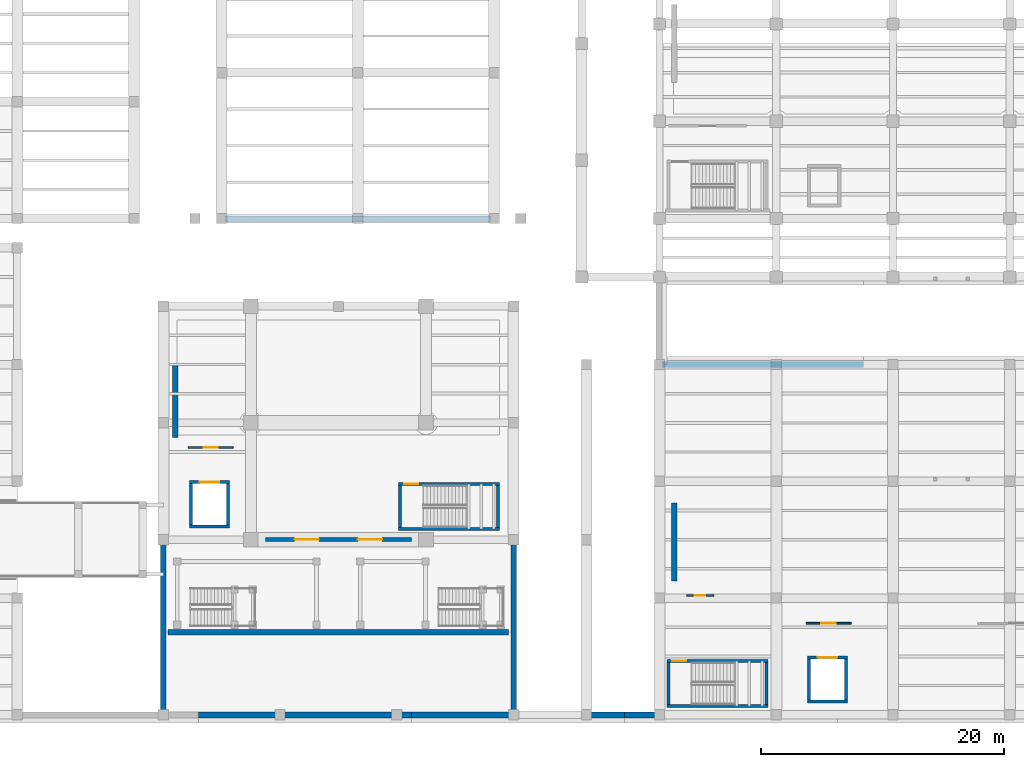
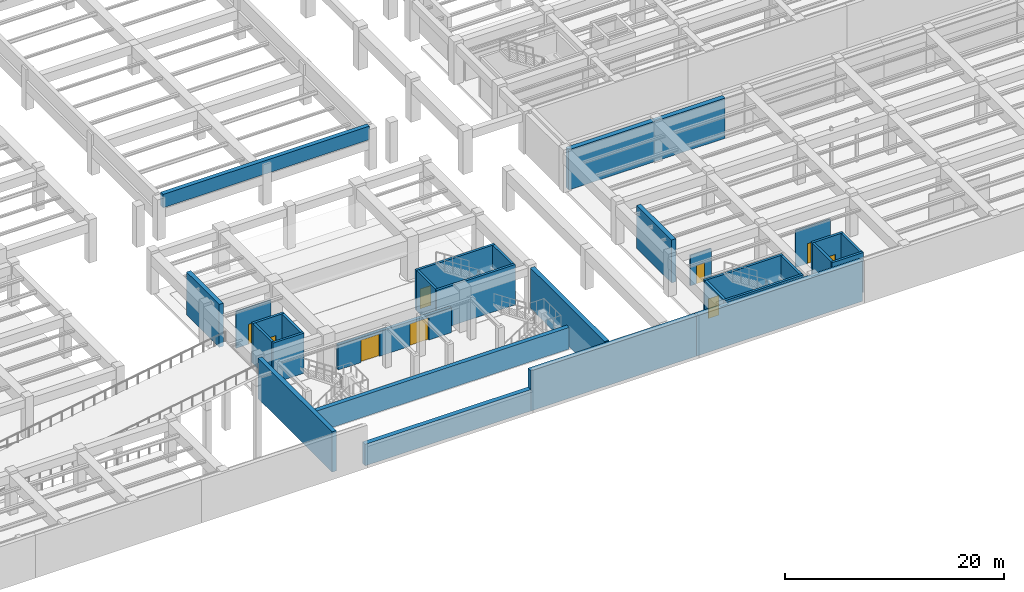
# One storey, part 25 of 45: 30 walls, 9 doors, 9 openings.
"""IFC4 building model written with IfcOpenShell, lengths in metres."""

from ifc_helpers import new_model, si_unit, direction, frame, frame_2d, origin, place, context, subcontext, project, spatial, rectangle, extrude, material, layer, layer_set, type_object, element, fill, save


model = new_model("IFC4")

# Units and contexts
model_context = context("Model", 3, precision=1e-05, world=origin(), true_north=direction((0.0, 1.0)))
body_context = subcontext(model_context, "Body", "Model", "MODEL_VIEW")
ifc_project = project(units=[si_unit("LENGTHUNIT", "METRE"), si_unit("AREAUNIT", "SQUARE_METRE"), si_unit("VOLUMEUNIT", "CUBIC_METRE"), si_unit("PLANEANGLEUNIT", "RADIAN"), si_unit("MASSUNIT", "GRAM", prefix="KILO")], contexts=[model_context])

# Site, building, storey
site_placement = place(None, origin())
site = spatial("IfcSite", under=ifc_project, at=site_placement, CompositionType="ELEMENT")
building_placement = place(site_placement, origin())
building = spatial("IfcBuilding", under=site, at=building_placement, Name="Mavantir Sound Aquarium", CompositionType="ELEMENT")
storey_placement = place(building_placement, frame((0.0, 0.0, -4.800048828125)))
storey = spatial("IfcBuildingStorey", under=building, at=storey_placement, Name="B1", CompositionType="ELEMENT", Elevation=-4.800048828125)

# Wall, openings, doors
ifc_material_1 = material(Name="Coral-Buff Architectural Precast Concrete C40/50", Category="concrete")
ifc_layer_1 = layer(ifc_material_1, 0.340087890625, Name="Coral-Buff Architectural Precast Concrete C40/50")
ifc_layer_set_1 = layer_set([ifc_layer_1], Name="Coral-Buff Architectural Precast Concrete C40/50")
wall_type_1 = type_object("IfcWallType", Name="EW-CORAL-340", PredefinedType="SOLIDWALL", material=ifc_layer_set_1)
wall_1_placement = place(storey_placement, frame((75.60009765625, 14.39990234375, 0.0), z_axis=(0.0, 0.0, 1.0), x_axis=(1.0, 0.0, 0.0)))
wall_1 = element("IfcWall", 1, at=wall_1_placement, inside=storey, type_object=wall_type_1, Name="B1 sunken metro forecourt concourse portal wall", PredefinedType="SOLIDWALL", context=body_context, shape_type="SweptSolid", body=[
    extrude(rectangle(XDim=12.0, YDim=0.340087890625, at=frame_2d((6.0, 0.0))), origin(), (0.0, 0.0, 1.0), 2.77001953125),
])
opening_1_placement = place(wall_1_placement, frame((4.39990234375, 0.0, 0.0), z_axis=(0.0, 0.0, 1.0), x_axis=(-1.0, 0.0, 0.0)))
opening_1 = element("IfcOpeningElement", 2, at=opening_1_placement, cuts=wall_1, Name="Opening EXD-01", PredefinedType="OPENING", context=body_context, shape_type="SweptSolid", body=[
    extrude(rectangle(XDim=2.0, YDim=2.5, at=frame_2d((1.0, 1.25))), frame((0.0, 0.18017578125, 0.0), z_axis=(0.0, -1.0, 0.0), x_axis=(1.0, 0.0, 0.0)), (0.0, 0.0, 1.0), 0.360107421875),
])
opening_2_placement = place(wall_1_placement, frame((9.60009765625, 0.0, 0.0), z_axis=(0.0, 0.0, 1.0), x_axis=(-1.0, 0.0, 0.0)))
opening_2 = element("IfcOpeningElement", 3, at=opening_2_placement, cuts=wall_1, Name="Opening EXD-01", PredefinedType="OPENING", context=body_context, shape_type="SweptSolid", body=[
    extrude(rectangle(XDim=2.0, YDim=2.5, at=frame_2d((1.0, 1.25))), frame((0.0, 0.18017578125, 0.0), z_axis=(0.0, -1.0, 0.0), x_axis=(1.0, 0.0, 0.0)), (0.0, 0.0, 1.0), 0.360107421875),
])
ifc_material_2 = material(Name="Marine-Grade Anodised Aluminium and Laminated Glass", Category="aluminium")
door_type_1 = type_object("IfcDoorType", Name="DR-EX-200", OperationType="NOTDEFINED", PredefinedType="DOOR", material=ifc_material_2)
door_1_placement = place(opening_1_placement, origin())
door_1 = element("IfcDoor", 4, at=door_1_placement, inside=storey, type_object=door_type_1, Name="B1 sunken metro forecourt portal door 1", OperationType="DOUBLE_DOOR_SINGLE_SWING", OverallHeight=2.5, OverallWidth=2.0, PredefinedType="DOOR", context=body_context, shape_type="SweptSolid", body=[
    extrude(rectangle(XDim=2.0, YDim=2.5, at=frame_2d((1.0, 1.25))), frame((0.0, 0.02490234375, 0.0), z_axis=(0.0, -1.0, 0.0), x_axis=(1.0, 0.0, 0.0)), (0.0, 0.0, 1.0), 0.050048828125),
])
fill(opening_1, door_1)
door_2_placement = place(opening_2_placement, origin())
door_2 = element("IfcDoor", 5, at=door_2_placement, inside=storey, type_object=door_type_1, Name="B1 sunken metro forecourt portal door 2", OperationType="DOUBLE_DOOR_SINGLE_SWING", OverallHeight=2.5, OverallWidth=2.0, PredefinedType="DOOR", context=body_context, shape_type="SweptSolid", body=[
    extrude(rectangle(XDim=2.0, YDim=2.5, at=frame_2d((1.0, 1.25))), frame((0.0, 0.02490234375, 0.0), z_axis=(0.0, -1.0, 0.0), x_axis=(1.0, 0.0, 0.0)), (0.0, 0.0, 1.0), 0.050048828125),
])
fill(opening_2, door_2)

# Wall, opening, door
ifc_material_3 = material(Name="Acoustic Metal-Stud Gypsum Partition", Category="gypsum")
ifc_layer_2 = layer(ifc_material_3, 0.1298828125, Name="Acoustic Metal-Stud Gypsum Partition")
ifc_layer_set_2 = layer_set([ifc_layer_2], Name="Acoustic Metal-Stud Gypsum Partition")
wall_type_2 = type_object("IfcWallType", Name="IW-PART-130", PredefinedType="PARTITIONING", material=ifc_layer_set_2)
wall_2_placement = place(storey_placement, frame((120.050048828125, 7.52490234375, 0.0), z_axis=(0.0, 0.0, 1.0), x_axis=(1.0, 0.0, 0.0)))
wall_2 = element("IfcWall", 6, at=wall_2_placement, inside=storey, type_object=wall_type_2, Name="B1 Life Support Plant High-Pressure Sand Filtration Hall entry partition", PredefinedType="PARTITIONING", context=body_context, shape_type="SweptSolid", body=[
    extrude(rectangle(XDim=3.699951171875, YDim=0.1298828125, at=frame_2d((1.85009765625, 0.0))), origin(), (0.0, 0.0, 1.0), 4.1640625),
])
opening_3_placement = place(wall_2_placement, frame((1.260009765625, 0.0, 0.0)))
opening_3 = element("IfcOpeningElement", 7, at=opening_3_placement, cuts=wall_2, Name="Opening ID-08", PredefinedType="OPENING", context=body_context, shape_type="SweptSolid", body=[
    extrude(rectangle(XDim=1.179931640625, YDim=2.219970703125, at=frame_2d((0.58984375, 1.10986328125))), frame((0.0, 0.074951171875, 0.0), z_axis=(0.0, -1.0, 0.0), x_axis=(1.0, 0.0, 0.0)), (0.0, 0.0, 1.0), 0.14990234375),
])
ifc_material_4 = material(Name="Solid-Core Marine Hardwood and Vision-Panel Door", Category="wood")
door_type_2 = type_object("IfcDoorType", Name="DR-INT-08", OperationType="NOTDEFINED", PredefinedType="DOOR", material=ifc_material_4)
door_3_placement = place(opening_3_placement, origin())
door_3 = element("IfcDoor", 8, at=door_3_placement, inside=storey, type_object=door_type_2, Name="Life Support Plant High-Pressure Sand Filtration Hall door", OperationType="SINGLE_SWING_LEFT", OverallHeight=2.219970703125, OverallWidth=1.179931640625, PredefinedType="DOOR", context=body_context, shape_type="SweptSolid", body=[
    extrude(rectangle(XDim=1.179931640625, YDim=2.219970703125, at=frame_2d((0.58984375, 1.10986328125))), frame((0.0, 0.02490234375, 0.0), z_axis=(0.0, -1.0, 0.0), x_axis=(1.0, 0.0, 0.0)), (0.0, 0.0, 1.0), 0.050048828125),
])
fill(opening_3, door_3)

ifc_material_5 = material(Name="Moisture-Resistant Marine Gypsum Partition", Category="gypsum")
ifc_layer_3 = layer(ifc_material_5, 0.139892578125, Name="Moisture-Resistant Marine Gypsum Partition")
ifc_layer_set_3 = layer_set([ifc_layer_3], Name="Moisture-Resistant Marine Gypsum Partition")
wall_type_3 = type_object("IfcWallType", Name="IW-PART-140", PredefinedType="PARTITIONING", material=ifc_layer_set_3)
wall_3_placement = place(storey_placement, frame((69.25, 21.97509765625, 0.0), z_axis=(0.0, 0.0, 1.0), x_axis=(1.0, 0.0, 0.0)))
wall_3 = element("IfcWall", 9, at=wall_3_placement, inside=storey, type_object=wall_type_3, Name="B1 Sunken Metro Forecourt Ticketing and Orientation Concourse entry partition", PredefinedType="PARTITIONING", context=body_context, shape_type="SweptSolid", body=[
    extrude(rectangle(XDim=3.699951171875, YDim=0.139892578125, at=frame_2d((1.85009765625, 0.0))), origin(), (0.0, 0.0, 1.0), 4.113037109375),
])
opening_4_placement = place(wall_3_placement, frame((1.280029296875, 0.0, 0.0)))
opening_4 = element("IfcOpeningElement", 10, at=opening_4_placement, cuts=wall_3, Name="Opening ID-07", PredefinedType="OPENING", context=body_context, shape_type="SweptSolid", body=[
    extrude(rectangle(XDim=1.139892578125, YDim=2.219970703125, at=frame_2d((0.56982421875, 1.10986328125))), frame((0.0, 0.080078125, 0.0), z_axis=(0.0, -1.0, 0.0), x_axis=(1.0, 0.0, 0.0)), (0.0, 0.0, 1.0), 0.159912109375),
])
door_type_3 = type_object("IfcDoorType", Name="DR-INT-07", OperationType="NOTDEFINED", PredefinedType="DOOR", material=ifc_material_4)
door_4_placement = place(opening_4_placement, origin())
door_4 = element("IfcDoor", 11, at=door_4_placement, inside=storey, type_object=door_type_3, Name="Sunken Metro Forecourt Ticketing and Orientation Concourse door", OperationType="SINGLE_SWING_RIGHT", OverallHeight=2.219970703125, OverallWidth=1.139892578125, PredefinedType="DOOR", context=body_context, shape_type="SweptSolid", body=[
    extrude(rectangle(XDim=1.139892578125, YDim=2.219970703125, at=frame_2d((0.56982421875, 1.10986328125))), frame((0.0, 0.02490234375, 0.0), z_axis=(0.0, -1.0, 0.0), x_axis=(1.0, 0.0, 0.0)), (0.0, 0.0, 1.0), 0.050048828125),
])
fill(opening_4, door_4)

wall_4_placement = place(storey_placement, frame((110.239990234375, 9.800048828125, 0.0), z_axis=(0.0, 0.0, 1.0), x_axis=(1.0, 0.0, 0.0)))
wall_4 = element("IfcWall", 12, at=wall_4_placement, inside=storey, type_object=wall_type_3, Name="B1 service riser enclosure 1", PredefinedType="PARTITIONING", context=body_context, shape_type="SweptSolid", body=[
    extrude(rectangle(XDim=2.199951171875, YDim=0.139892578125, at=frame_2d((1.10009765625, 0.0))), origin(), (0.0, 0.0, 1.0), 3.416015625),
])
opening_5_placement = place(wall_4_placement, frame((0.64990234375, 0.0, 0.0)))
opening_5 = element("IfcOpeningElement", 13, at=opening_5_placement, cuts=wall_4, Name="Opening TD-01", PredefinedType="OPENING", context=body_context, shape_type="SweptSolid", body=[
    extrude(rectangle(XDim=0.85009765625, YDim=2.050048828125, at=frame_2d((0.425048828125, 1.02490234375))), frame((0.0, 0.080078125, 0.0), z_axis=(0.0, -1.0, 0.0), x_axis=(1.0, 0.0, 0.0)), (0.0, 0.0, 1.0), 0.159912109375),
])
ifc_material_6 = material(Name="Powder-Coated Steel Riser Access Door", Category="steel")
door_type_4 = type_object("IfcDoorType", Name="DR-TRAP-85", OperationType="NOTDEFINED", PredefinedType="TRAPDOOR", material=ifc_material_6)
door_5_placement = place(opening_5_placement, origin())
door_5 = element("IfcDoor", 14, at=door_5_placement, inside=storey, type_object=door_type_4, Name="B1 riser inspection trapdoor 1", OperationType="SINGLE_SWING_RIGHT", OverallHeight=2.050048828125, OverallWidth=0.85009765625, PredefinedType="TRAPDOOR", context=body_context, shape_type="SweptSolid", body=[
    extrude(rectangle(XDim=0.85009765625, YDim=2.050048828125, at=frame_2d((0.425048828125, 1.02490234375))), frame((0.0, 0.02490234375, 0.0), z_axis=(0.0, -1.0, 0.0), x_axis=(1.0, 0.0, 0.0)), (0.0, 0.0, 1.0), 0.050048828125),
])
fill(opening_5, door_5)

# Wall
ifc_material_7 = material(Name="Concrete C40/50", Category="concrete")
ifc_layer_4 = layer(ifc_material_7, 0.25, Name="Concrete C40/50")
ifc_layer_set_4 = layer_set([ifc_layer_4], Name="Concrete C40/50")
wall_type_4 = type_object("IfcWallType", Name="IW-SHAFT-250", PredefinedType="SHEAR", material=ifc_layer_set_4)
wall_5_placement = place(storey_placement, frame((108.60009765625, 0.72509765625, 0.0), z_axis=(0.0, 0.0, 1.0), x_axis=(1.0, 0.0, 0.0)))
element("IfcWall", 15, at=wall_5_placement, inside=storey, type_object=wall_type_4, Name="B1 stair ST6 shaft wall S", PredefinedType="SHEAR", context=body_context, shape_type="SweptSolid", body=[
    extrude(rectangle(XDim=8.2998046875, YDim=0.25, at=frame_2d((4.14990234375, 0.0))), origin(), (0.0, 0.0, 1.0), 4.449951171875),
])

# Wall, opening, door
wall_6_placement = place(storey_placement, frame((116.89990234375, 4.425048828125, 0.0), z_axis=(0.0, 0.0, 1.0), x_axis=(-1.0, 0.0, 0.0)))
wall_6 = element("IfcWall", 16, at=wall_6_placement, inside=storey, type_object=wall_type_4, Name="B1 stair ST6 shaft wall N", PredefinedType="SHEAR", context=body_context, shape_type="SweptSolid", body=[
    extrude(rectangle(XDim=8.2998046875, YDim=0.25, at=frame_2d((4.14990234375, 0.0))), origin(), (0.0, 0.0, 1.0), 4.449951171875),
])
opening_6_placement = place(wall_6_placement, frame((7.849853515625, 0.0, 0.0), z_axis=(0.0, 0.0, 1.0), x_axis=(-1.0, 0.0, 0.0)))
opening_6 = element("IfcOpeningElement", 17, at=opening_6_placement, cuts=wall_6, Name="Opening SD-02", PredefinedType="OPENING", context=body_context, shape_type="SweptSolid", body=[
    extrude(rectangle(XDim=1.14990234375, YDim=2.199951171875, at=frame_2d((0.574951171875, 1.10009765625))), frame((0.0, 0.135009765625, 0.0), z_axis=(0.0, -1.0, 0.0), x_axis=(1.0, 0.0, 0.0)), (0.0, 0.0, 1.0), 0.27001953125),
])
ifc_material_8 = material(Name="Fire-Rated Steel Acoustic Door Leaf", Category="steel")
door_type_5 = type_object("IfcDoorType", Name="DR-ST-115", OperationType="NOTDEFINED", PredefinedType="DOOR", material=ifc_material_8)
door_6_placement = place(opening_6_placement, origin())
door_6 = element("IfcDoor", 18, at=door_6_placement, inside=storey, type_object=door_type_5, Name="B1 protected exit stair ST6 door", OperationType="SINGLE_SWING_RIGHT", OverallHeight=2.199951171875, OverallWidth=1.14990234375, PredefinedType="DOOR", context=body_context, shape_type="SweptSolid", body=[
    extrude(rectangle(XDim=1.14990234375, YDim=2.199951171875, at=frame_2d((0.574951171875, 1.10009765625))), frame((0.0, 0.02490234375, 0.0), z_axis=(0.0, -1.0, 0.0), x_axis=(1.0, 0.0, 0.0)), (0.0, 0.0, 1.0), 0.050048828125),
])
fill(opening_6, door_6)

# Walls
for number, where, z_axis, x_axis, name in (
    (19, (108.72509765625, 4.300048828125, 0.0), (0.0, 0.0, 1.0), (0.0, -1.0, 0.0), "B1 stair ST6 shaft wall W"),
    (20, (116.77490234375, 0.85009765625, 0.0), (0.0, 0.0, 1.0), (0.0, 1.0, 0.0), "B1 stair ST6 shaft wall E"),
):
    element("IfcWall", number, at=place(storey_placement, frame(where, z_axis=z_axis, x_axis=x_axis)), inside=storey, type_object=wall_type_4, Name=name, PredefinedType="SHEAR", context=body_context, shape_type="SweptSolid", body=[
        extrude(rectangle(XDim=3.449951171875, YDim=0.25, at=frame_2d((1.72509765625, 0.0))), origin(), (0.0, 0.0, 1.0), 4.449951171875),
    ])
wall_7_placement = place(storey_placement, frame((86.550048828125, 15.27490234375, 0.0), z_axis=(0.0, 0.0, 1.0), x_axis=(1.0, 0.0, 0.0)))
element("IfcWall", 21, at=wall_7_placement, inside=storey, type_object=wall_type_4, Name="B1 stair ST11 shaft wall S", PredefinedType="SHEAR", context=body_context, shape_type="SweptSolid", body=[
    extrude(rectangle(XDim=8.300048828125, YDim=0.25, at=frame_2d((4.14990234375, 0.0))), origin(), (0.0, 0.0, 1.0), 4.5),
])

# Wall, opening, door
wall_8_placement = place(storey_placement, frame((94.85009765625, 18.97509765625, 0.0), z_axis=(0.0, 0.0, 1.0), x_axis=(-1.0, 0.0, 0.0)))
wall_8 = element("IfcWall", 22, at=wall_8_placement, inside=storey, type_object=wall_type_4, Name="B1 stair ST11 shaft wall N", PredefinedType="SHEAR", context=body_context, shape_type="SweptSolid", body=[
    extrude(rectangle(XDim=8.300048828125, YDim=0.25, at=frame_2d((4.14990234375, 0.0))), origin(), (0.0, 0.0, 1.0), 4.5),
])
opening_7_placement = place(wall_8_placement, frame((7.849853515625, 0.0, 0.0), z_axis=(0.0, 0.0, 1.0), x_axis=(-1.0, 0.0, 0.0)))
opening_7 = element("IfcOpeningElement", 23, at=opening_7_placement, cuts=wall_8, Name="Opening SD-02", PredefinedType="OPENING", context=body_context, shape_type="SweptSolid", body=[
    extrude(rectangle(XDim=1.14990234375, YDim=2.199951171875, at=frame_2d((0.574951171875, 1.10009765625))), frame((0.0, 0.135009765625, 0.0), z_axis=(0.0, -1.0, 0.0), x_axis=(1.0, 0.0, 0.0)), (0.0, 0.0, 1.0), 0.27001953125),
])
door_7_placement = place(opening_7_placement, origin())
door_7 = element("IfcDoor", 24, at=door_7_placement, inside=storey, type_object=door_type_5, Name="B1 protected exit stair ST11 door", OperationType="SINGLE_SWING_RIGHT", OverallHeight=2.199951171875, OverallWidth=1.14990234375, PredefinedType="DOOR", context=body_context, shape_type="SweptSolid", body=[
    extrude(rectangle(XDim=1.14990234375, YDim=2.199951171875, at=frame_2d((0.574951171875, 1.10009765625))), frame((0.0, 0.02490234375, 0.0), z_axis=(0.0, -1.0, 0.0), x_axis=(1.0, 0.0, 0.0)), (0.0, 0.0, 1.0), 0.050048828125),
])
fill(opening_7, door_7)

# Walls
for number, where, z_axis, x_axis, name in (
    (25, (86.675048828125, 18.85009765625, 0.0), (0.0, 0.0, 1.0), (0.0, -1.0, 0.0), "B1 stair ST11 shaft wall W"),
    (26, (94.72509765625, 15.39990234375, 0.0), (0.0, 0.0, 1.0), (0.0, 1.0, 0.0), "B1 stair ST11 shaft wall E"),
):
    element("IfcWall", number, at=place(storey_placement, frame(where, z_axis=z_axis, x_axis=x_axis)), inside=storey, type_object=wall_type_4, Name=name, PredefinedType="SHEAR", context=body_context, shape_type="SweptSolid", body=[
        extrude(rectangle(XDim=3.4501953125, YDim=0.25, at=frame_2d((1.72509765625, 0.0))), origin(), (0.0, 0.0, 1.0), 4.5),
    ])
wall_9_placement = place(storey_placement, frame((120.14990234375, 1.074951171875, 0.0), z_axis=(0.0, 0.0, 1.0), x_axis=(1.0, 0.0, 0.0)))
element("IfcWall", 27, at=wall_9_placement, inside=storey, type_object=wall_type_4, Name="B1 lift LC6 shaft wall S", PredefinedType="SHEAR", context=body_context, shape_type="SweptSolid", body=[
    extrude(rectangle(XDim=3.300048828125, YDim=0.25, at=frame_2d((1.64990234375, 0.0))), origin(), (0.0, 0.0, 1.0), 4.449951171875),
])

# Wall, opening, door
wall_10_placement = place(storey_placement, frame((120.14990234375, 4.72509765625, 0.0), z_axis=(0.0, 0.0, 1.0), x_axis=(1.0, 0.0, 0.0)))
wall_10 = element("IfcWall", 28, at=wall_10_placement, inside=storey, type_object=wall_type_4, Name="B1 lift LC6 shaft wall N", PredefinedType="SHEAR", context=body_context, shape_type="SweptSolid", body=[
    extrude(rectangle(XDim=3.300048828125, YDim=0.25, at=frame_2d((1.64990234375, 0.0))), origin(), (0.0, 0.0, 1.0), 4.449951171875),
])
opening_8_placement = place(wall_10_placement, frame((0.85009765625, 0.0, 0.0)))
opening_8 = element("IfcOpeningElement", 29, at=opening_8_placement, cuts=wall_10, Name="Opening LD-03", PredefinedType="OPENING", context=body_context, shape_type="SweptSolid", body=[
    extrude(rectangle(XDim=1.60009765625, YDim=2.300048828125, at=frame_2d((0.800048828125, 1.14990234375))), frame((0.0, 0.135009765625, 0.0), z_axis=(0.0, -1.0, 0.0), x_axis=(1.0, 0.0, 0.0)), (0.0, 0.0, 1.0), 0.27001953125),
])
ifc_material_9 = material(Name="Stainless Steel 316 Goods Lift Landing Door", Category="steel")
door_type_6 = type_object("IfcDoorType", Name="DR-LD-160", OperationType="NOTDEFINED", PredefinedType="DOOR", material=ifc_material_9)
door_8_placement = place(opening_8_placement, origin())
door_8 = element("IfcDoor", 30, at=door_8_placement, inside=storey, type_object=door_type_6, Name="Lift LC6 sliding landing door (B1)", OperationType="DOUBLE_DOOR_SLIDING", OverallHeight=2.300048828125, OverallWidth=1.60009765625, PredefinedType="DOOR", context=body_context, shape_type="SweptSolid", body=[
    extrude(rectangle(XDim=1.60009765625, YDim=2.300048828125, at=frame_2d((0.800048828125, 1.14990234375))), frame((0.0, 0.02490234375, 0.0), z_axis=(0.0, -1.0, 0.0), x_axis=(1.0, 0.0, 0.0)), (0.0, 0.0, 1.0), 0.050048828125),
])
fill(opening_8, door_8)

# Walls
for number, where, z_axis, x_axis, name in (
    (31, (120.27490234375, 1.199951171875, 0.0), (0.0, 0.0, 1.0), (0.0, 1.0, 0.0), "B1 lift LC6 shaft wall W"),
    (32, (123.324951171875, 1.199951171875, 0.0), (0.0, 0.0, 1.0), (0.0, 1.0, 0.0), "B1 lift LC6 shaft wall E"),
):
    element("IfcWall", number, at=place(storey_placement, frame(where, z_axis=z_axis, x_axis=x_axis)), inside=storey, type_object=wall_type_4, Name=name, PredefinedType="SHEAR", context=body_context, shape_type="SweptSolid", body=[
        extrude(rectangle(XDim=3.400146484375, YDim=0.25, at=frame_2d((1.7001953125, 0.0))), origin(), (0.0, 0.0, 1.0), 4.449951171875),
    ])
wall_11_placement = place(storey_placement, frame((69.35009765625, 15.47509765625, 0.0), z_axis=(0.0, 0.0, 1.0), x_axis=(1.0, 0.0, 0.0)))
element("IfcWall", 33, at=wall_11_placement, inside=storey, type_object=wall_type_4, Name="B1 lift LC7 shaft wall S", PredefinedType="SHEAR", context=body_context, shape_type="SweptSolid", body=[
    extrude(rectangle(XDim=3.2998046875, YDim=0.25, at=frame_2d((1.64990234375, 0.0))), origin(), (0.0, 0.0, 1.0), 4.5),
])

# Wall, opening, door
wall_12_placement = place(storey_placement, frame((69.35009765625, 19.125, 0.0), z_axis=(0.0, 0.0, 1.0), x_axis=(1.0, 0.0, 0.0)))
wall_12 = element("IfcWall", 34, at=wall_12_placement, inside=storey, type_object=wall_type_4, Name="B1 lift LC7 shaft wall N", PredefinedType="SHEAR", context=body_context, shape_type="SweptSolid", body=[
    extrude(rectangle(XDim=3.2998046875, YDim=0.25, at=frame_2d((1.64990234375, 0.0))), origin(), (0.0, 0.0, 1.0), 4.5),
])
opening_9_placement = place(wall_12_placement, frame((0.85009765625, 0.0, 0.0)))
opening_9 = element("IfcOpeningElement", 35, at=opening_9_placement, cuts=wall_12, Name="Opening LD-03", PredefinedType="OPENING", context=body_context, shape_type="SweptSolid", body=[
    extrude(rectangle(XDim=1.60009765625, YDim=2.300048828125, at=frame_2d((0.800048828125, 1.14990234375))), frame((0.0, 0.135009765625, 0.0), z_axis=(0.0, -1.0, 0.0), x_axis=(1.0, 0.0, 0.0)), (0.0, 0.0, 1.0), 0.27001953125),
])
door_9_placement = place(opening_9_placement, origin())
door_9 = element("IfcDoor", 36, at=door_9_placement, inside=storey, type_object=door_type_6, Name="Lift LC7 sliding landing door (B1)", OperationType="DOUBLE_DOOR_SLIDING", OverallHeight=2.300048828125, OverallWidth=1.60009765625, PredefinedType="DOOR", context=body_context, shape_type="SweptSolid", body=[
    extrude(rectangle(XDim=1.60009765625, YDim=2.300048828125, at=frame_2d((0.800048828125, 1.14990234375))), frame((0.0, 0.02490234375, 0.0), z_axis=(0.0, -1.0, 0.0), x_axis=(1.0, 0.0, 0.0)), (0.0, 0.0, 1.0), 0.050048828125),
])
fill(opening_9, door_9)

# Walls
for number, where, z_axis, x_axis, name in (
    (37, (69.47509765625, 15.60009765625, 0.0), (0.0, 0.0, 1.0), (0.0, 1.0, 0.0), "B1 lift LC7 shaft wall W"),
    (38, (72.52490234375, 15.60009765625, 0.0), (0.0, 0.0, 1.0), (0.0, 1.0, 0.0), "B1 lift LC7 shaft wall E"),
):
    element("IfcWall", number, at=place(storey_placement, frame(where, z_axis=z_axis, x_axis=x_axis)), inside=storey, type_object=wall_type_4, Name=name, PredefinedType="SHEAR", context=body_context, shape_type="SweptSolid", body=[
        extrude(rectangle(XDim=3.39990234375, YDim=0.25, at=frame_2d((1.699951171875, 0.0))), origin(), (0.0, 0.0, 1.0), 4.5),
    ])
ifc_layer_5 = layer(ifc_material_7, 0.5, Name="Concrete C40/50")
ifc_layer_set_5 = layer_set([ifc_layer_5], Name="Concrete C40/50")
wall_type_5 = type_object("IfcWallType", Name="SW-RET-500", PredefinedType="USERDEFINED", material=ifc_layer_set_5)
wall_13_placement = place(storey_placement, frame((108.22998046875, 28.800048828125, 0.0), z_axis=(0.0, 0.0, 1.0), x_axis=(1.0, 0.0, 0.0)))
element("IfcWall", 39, at=wall_13_placement, inside=storey, type_object=wall_type_5, Name="B1 perimeter plinth retaining wall 74", ObjectType="RETAINING WALL", PredefinedType="USERDEFINED", context=body_context, shape_type="SweptSolid", body=[
    extrude(rectangle(XDim=16.532958984375, YDim=0.5, at=frame_2d((8.2666015625, 0.0))), origin(), (0.0, 0.0, 1.0), 4.5),
])
wall_14_placement = place(storey_placement, frame((122.639892578125, 0.0, 0.0), z_axis=(0.0, 0.0, 1.0), x_axis=(-1.0, 0.0, 0.0)))
element("IfcWall", 40, at=wall_14_placement, inside=storey, type_object=wall_type_5, Name="B1 perimeter plinth retaining wall 92", ObjectType="RETAINING WALL", PredefinedType="USERDEFINED", context=body_context, shape_type="SweptSolid", body=[
    extrude(rectangle(XDim=17.519775390625, YDim=0.5, at=frame_2d((8.759765625, 0.0))), origin(), (0.0, 0.0, 1.0), 4.5),
])
wall_15_placement = place(storey_placement, frame((105.1201171875, 0.0, 0.0), z_axis=(0.0, 0.0, 1.0), x_axis=(-1.0, 0.0, 0.0)))
element("IfcWall", 41, at=wall_15_placement, inside=storey, type_object=wall_type_5, Name="B1 perimeter plinth retaining wall 94", ObjectType="RETAINING WALL", PredefinedType="USERDEFINED", context=body_context, shape_type="SweptSolid", body=[
    extrude(rectangle(XDim=17.52001953125, YDim=0.5, at=frame_2d((8.760009765625, 0.0))), origin(), (0.0, 0.0, 1.0), 4.5),
])
wall_16_placement = place(storey_placement, frame((87.60009765625, 0.0, 0.0), z_axis=(0.0, 0.0, 1.0), x_axis=(-1.0, 0.0, 0.0)))
element("IfcWall", 42, at=wall_16_placement, inside=storey, type_object=wall_type_5, Name="B1 perimeter plinth retaining wall 96", ObjectType="RETAINING WALL", PredefinedType="USERDEFINED", context=body_context, shape_type="SweptSolid", body=[
    extrude(rectangle(XDim=17.52001953125, YDim=0.5, at=frame_2d((8.760009765625, 0.0))), origin(), (0.0, 0.0, 1.0), 2.400146484375),
])
for number, where, z_axis, x_axis, name in (
    (43, (67.199951171875, 0.39990234375, 0.0), (0.0, 0.0, 1.0), (0.0, 1.0, 0.0), "B1 sculpted court retaining wall RW-FORE-W"),
    (44, (96.0, 0.39990234375, 0.0), (0.0, 0.0, 1.0), (0.0, 1.0, 0.0), "B1 sculpted court retaining wall RW-FORE-E"),
):
    element("IfcWall", number, at=place(storey_placement, frame(where, z_axis=z_axis, x_axis=x_axis)), inside=storey, type_object=wall_type_5, Name=name, ObjectType="RETAINING WALL", PredefinedType="USERDEFINED", context=body_context, shape_type="SweptSolid", body=[
        extrude(rectangle(XDim=13.60009765625, YDim=0.449951171875, at=frame_2d((6.800048828125, 0.0))), origin(), (0.0, 0.0, 1.0), 4.5),
    ])
wall_17_placement = place(storey_placement, frame((67.60009765625, 6.800048828125, 0.0), z_axis=(0.0, 0.0, 1.0), x_axis=(1.0, 0.0, 0.0)))
element("IfcWall", 45, at=wall_17_placement, inside=storey, type_object=wall_type_5, Name="B1 sculpted court retaining wall RW-FORE-STEP", ObjectType="RETAINING WALL", PredefinedType="USERDEFINED", context=body_context, shape_type="SweptSolid", body=[
    extrude(rectangle(XDim=28.0, YDim=0.449951171875, at=frame_2d((14.0, 0.0))), origin(), (0.0, 0.0, 1.0), 2.400146484375),
])
wall_18_placement = place(storey_placement, frame((72.300048828125, 40.800048828125, 3.300048828125), z_axis=(0.0, 0.0, 1.0), x_axis=(1.0, 0.0, 0.0)))
element("IfcWall", 46, at=wall_18_placement, inside=storey, type_object=wall_type_5, Name="B1 sculpted court retaining wall RW-BASIN-S", ObjectType="RETAINING WALL", PredefinedType="USERDEFINED", context=body_context, shape_type="SweptSolid", body=[
    extrude(rectangle(XDim=21.800048828125, YDim=0.449951171875, at=frame_2d((10.89990234375, 0.0))), origin(), (0.0, 0.0, 1.0), 1.5),
])
ifc_layer_6 = layer(ifc_material_7, 0.449951171875, Name="Concrete C40/50")
ifc_layer_set_6 = layer_set([ifc_layer_6], Name="Concrete C40/50")
wall_type_6 = type_object("IfcWallType", Name="SW-SHR-450", PredefinedType="SHEAR", material=ifc_layer_set_6)
wall_19_placement = place(storey_placement, frame((109.199951171875, 11.0, 0.0), z_axis=(0.0, 0.0, 1.0), x_axis=(0.0, 1.0, 0.0)))
element("IfcWall", 47, at=wall_19_placement, inside=storey, type_object=wall_type_6, Name="B1 special RC shear wall 39 (V6)", PredefinedType="SHEAR", context=body_context, shape_type="SweptSolid", body=[
    extrude(rectangle(XDim=6.39990234375, YDim=0.449951171875, at=frame_2d((3.199951171875, 0.0))), origin(), (0.0, 0.0, 1.0), 4.800048828125),
])
wall_20_placement = place(storey_placement, frame((68.199951171875, 22.800048828125, 0.0), z_axis=(0.0, 0.0, 1.0), x_axis=(0.0, 1.0, 0.0)))
element("IfcWall", 48, at=wall_20_placement, inside=storey, type_object=wall_type_6, Name="B1 special RC shear wall 45 (V7)", PredefinedType="SHEAR", context=body_context, shape_type="SweptSolid", body=[
    extrude(rectangle(XDim=6.0, YDim=0.449951171875, at=frame_2d((3.0, 0.0))), origin(), (0.0, 0.0, 1.0), 4.800048828125),
])

save(model, "model.ifc")
